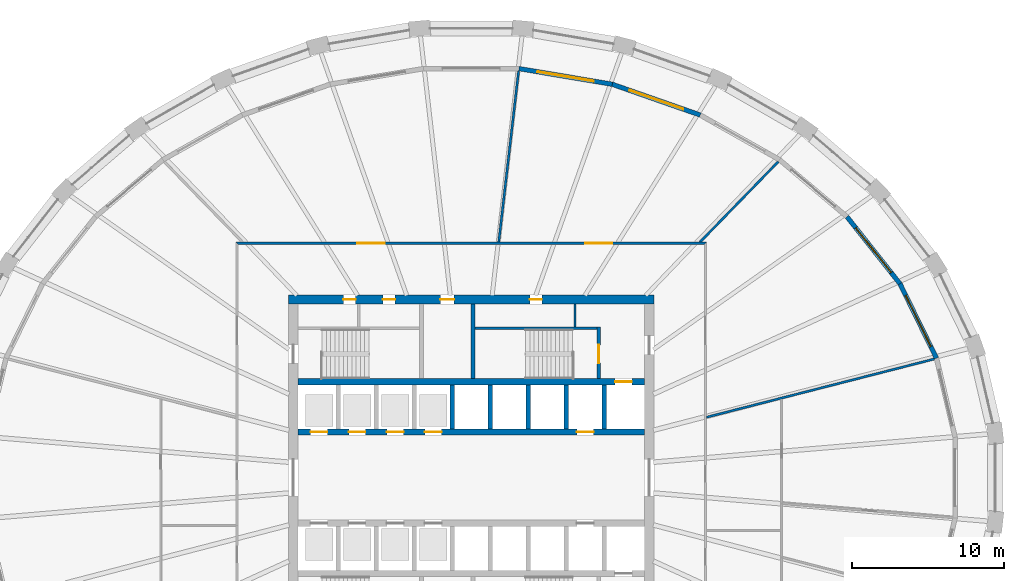
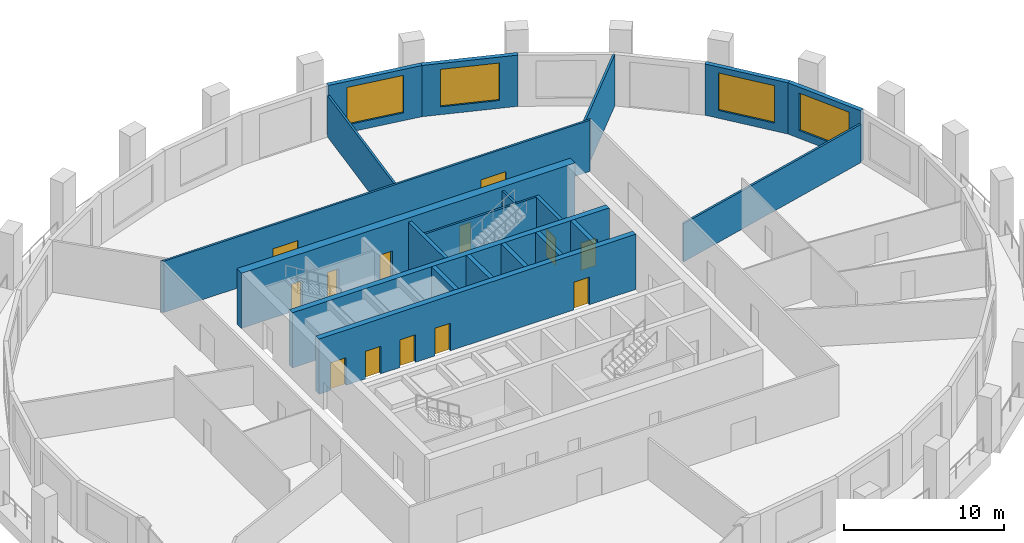
# One storey, part 6 of 10: 20 walls, 13 doors, 4 windows, 17 openings.
"""IFC4 building model written with IfcOpenShell, lengths in metres."""

import ifcopenshell
import ifcopenshell.guid

model = None  # the IFC model being written
_history = None  # IfcOwnerHistory: only IFC2X3 demands one
_inside = {}  # id of a spatial element -> (the spatial element, [elements in it])
_under = {}  # id of a project, library or spatial element -> (it, [spatial elements below it])
_declared = {}  # id of a project -> (the project, [libraries it declares])
_typed = {}  # id of a type object -> (the type object, [elements of that type])
_made_of = {}  # id of a material, layer set ... -> (it, [elements and type objects made of it])


def new_model(schema):
    """Start an empty IFC model of exactly this schema.

    Asked for "IFC4X3", IfcOpenShell would pick the latest addendum, in which some entities
    have other attributes; the version numbers below select the first issue.
    IFC2X3 requires an IfcOwnerHistory on every rooted entity: one is made here for all.
    """
    global model, _history
    if schema == "IFC4X3":
        model = ifcopenshell.file(schema_version=(4, 3, 0, 0))
    else:
        model = ifcopenshell.file(schema=schema)
    _inside.clear()
    _under.clear()
    _declared.clear()
    _typed.clear()
    _made_of.clear()
    _history = None
    if model.schema == "IFC2X3":
        org = make("IfcOrganization", Name="unknown")
        user = make(
            "IfcPersonAndOrganization",
            ThePerson=make("IfcPerson", FamilyName="unknown"),
            TheOrganization=org,
        )
        app = make(
            "IfcApplication",
            ApplicationDeveloper=org,
            Version="unknown",
            ApplicationFullName="unknown",
            ApplicationIdentifier="unknown",
        )
        _history = make(
            "IfcOwnerHistory",
            OwningUser=user,
            OwningApplication=app,
            ChangeAction="ADDED",
            CreationDate=0,
        )
    return model


def make(cls, **values):
    """One entity of the class cls with the attributes given. An attribute that is None is left unset."""
    return model.create_entity(
        cls, **{name: value for name, value in values.items() if value is not None}
    )


def rooted(cls, **values):
    """An entity with a GlobalId (a new one), such as an element, a storey or a relation."""
    return make(cls, GlobalId=ifcopenshell.guid.new(), OwnerHistory=_history, **values)


def si_unit(unit_type, name, prefix=None):
    """IfcSIUnit, for example si_unit("LENGTHUNIT", "METRE", prefix="MILLI")."""
    return make("IfcSIUnit", UnitType=unit_type, Prefix=prefix, Name=name)


def assignment(units):
    """IfcUnitAssignment: the units of a project."""
    return None if units is None else make("IfcUnitAssignment", Units=units)


def point(xyz):
    """IfcCartesianPoint."""
    return None if xyz is None else make("IfcCartesianPoint", Coordinates=xyz)


def direction(xyz):
    """IfcDirection."""
    return None if xyz is None else make("IfcDirection", DirectionRatios=xyz)


def frame(location, z_axis=None, x_axis=None):
    """IfcAxis2Placement3D, a coordinate frame: its origin and axes. An axis left out is left unset."""
    return make(
        "IfcAxis2Placement3D",
        Location=point(location),
        Axis=direction(z_axis),
        RefDirection=direction(x_axis),
    )


def frame_2d(location, x_axis=None):
    """IfcAxis2Placement2D, a coordinate frame in the plane: its origin and x axis."""
    return make(
        "IfcAxis2Placement2D", Location=point(location), RefDirection=direction(x_axis)
    )


def origin():
    """The frame at (0, 0, 0) with its axes left unset."""
    return frame((0.0, 0.0, 0.0))


def place(relative_to, where):
    """IfcLocalPlacement: puts the frame where relative to a parent placement (None: the world)."""
    return make(
        "IfcLocalPlacement", PlacementRelTo=relative_to, RelativePlacement=where
    )


def context(
    kind, dimensions, precision=None, world=None, true_north=None, identifier=None
):
    """IfcGeometricRepresentationContext, for example the 3D "Model" context."""
    return make(
        "IfcGeometricRepresentationContext",
        ContextIdentifier=identifier,
        ContextType=kind,
        CoordinateSpaceDimension=dimensions,
        Precision=precision,
        WorldCoordinateSystem=world,
        TrueNorth=true_north,
    )


def subcontext(parent, identifier, kind, view, scale=None):
    """IfcGeometricRepresentationSubContext, for example "Body" below "Model"."""
    return make(
        "IfcGeometricRepresentationSubContext",
        ContextIdentifier=identifier,
        ContextType=kind,
        ParentContext=parent,
        TargetScale=scale,
        TargetView=view,
    )


def project(units=None, contexts=None):
    """IfcProject with its units and contexts."""
    return rooted(
        "IfcProject",
        Name="project",
        RepresentationContexts=contexts,
        UnitsInContext=assignment(units),
    )


def spatial(cls, under=None, at=None, **own):
    """A site, building, storey or space (cls), placed at a placement, below another one or the project."""
    s = rooted(cls, ObjectPlacement=at, **own)
    if under is not None:
        _under.setdefault(under.id(), (under, []))[1].append(s)
    return s


def polyline(points):
    """IfcPolyline through the points."""
    return make("IfcPolyline", Points=[point(p) for p in points])


def profile(cls, at=None, kind="AREA", **sizes):
    """A parametric profile (cls). Its sizes go by their IFC names, for example OverallWidth=200.0."""
    return make(cls, ProfileType=kind, Position=at, **sizes)


def rectangle(**sizes):
    """IfcRectangleProfileDef."""
    return profile("IfcRectangleProfileDef", **sizes)


def outline(outer, holes=None, kind="AREA"):
    """IfcArbitraryClosedProfileDef: a profile drawn as a closed curve; with holes, ...WithVoids."""
    if holes is None:
        return make("IfcArbitraryClosedProfileDef", ProfileType=kind, OuterCurve=outer)
    return make(
        "IfcArbitraryProfileDefWithVoids",
        ProfileType=kind,
        OuterCurve=outer,
        InnerCurves=holes,
    )


def extrude(swept, where, along, depth):
    """IfcExtrudedAreaSolid: the profile swept, set in the frame where, extruded along a direction by depth."""
    return make(
        "IfcExtrudedAreaSolid",
        SweptArea=swept,
        Position=where,
        ExtrudedDirection=direction(along),
        Depth=depth,
    )


def shape(context_of_items, identifier, shape_type, items):
    """IfcShapeRepresentation: the items that make up one representation, for example the "Body"."""
    return make(
        "IfcShapeRepresentation",
        ContextOfItems=context_of_items,
        RepresentationIdentifier=identifier,
        RepresentationType=shape_type,
        Items=items,
    )


def material(Name=None, Category=None):
    """IfcMaterial."""
    return make("IfcMaterial", Name=Name, Category=Category)


def layer(
    of_material, thickness, ventilated=None, Name=None, Category=None, Priority=None
):
    """IfcMaterialLayer: one layer of a wall or slab, of a material (None: an air gap)."""
    return make(
        "IfcMaterialLayer",
        Material=of_material,
        LayerThickness=thickness,
        IsVentilated=ventilated,
        Name=Name,
        Category=Category,
        Priority=Priority,
    )


def layer_set(layers, Name=None):
    """IfcMaterialLayerSet."""
    return make("IfcMaterialLayerSet", MaterialLayers=layers, LayerSetName=Name)


def made_of(thing, what):
    """Note that an element or type object is made of a material, layer set ...; save() writes the relation."""
    if what is not None:
        _made_of.setdefault(what.id(), (what, []))[1].append(thing)
    return thing


def type_object(cls, material=None, **own):
    """A type object (cls), such as IfcWallType, which elements share."""
    return made_of(rooted(cls, **own), material)


def element(
    cls,
    number,
    at=None,
    inside=None,
    cuts=None,
    type_object=None,
    material=None,
    context=None,
    identifier="Body",
    shape_type=None,
    held_by="IfcProductDefinitionShape",
    body=None,
    shapes=None,
    **own,
):
    """One element of the class cls, such as IfcWall. Its Tag is "e" and its number.

    at: its placement. inside: the storey or other place that contains it. cuts: it is an
    opening in that element (IfcRelVoidsElement). A single representation is given by context,
    identifier, shape_type and body (its items); several are given by shapes. held_by: the class
    of the entity that holds the representations. save() writes the other relations.
    """
    e = rooted(cls, Tag="e%d" % number, ObjectPlacement=at, **own)
    if body is not None:
        shapes = [shape(context, identifier, shape_type, body)]
    if shapes is not None:
        e.Representation = make(held_by, Representations=shapes)
    if inside is not None:
        _inside.setdefault(inside.id(), (inside, []))[1].append(e)
    if cuts is not None:
        rooted(
            "IfcRelVoidsElement", RelatingBuildingElement=cuts, RelatedOpeningElement=e
        )
    if type_object is not None:
        _typed.setdefault(type_object.id(), (type_object, []))[1].append(e)
    return made_of(e, material)


def fill(opening, filler):
    """IfcRelFillsElement: the door or window that sits in an opening."""
    return rooted(
        "IfcRelFillsElement",
        RelatingOpeningElement=opening,
        RelatedBuildingElement=filler,
    )


def aggregate(whole, parts):
    """IfcRelAggregates: a whole, such as a stair, and the parts it consists of."""
    return rooted("IfcRelAggregates", RelatingObject=whole, RelatedObjects=parts)


def save(model, path):
    """Write the relations noted so far, then the file.

    IfcRelAggregates (storeys below a building ...), IfcRelContainedInSpatialStructure (elements
    in a storey), IfcRelDefinesByType, IfcRelAssociatesMaterial and IfcRelDeclares: one each for
    every whole, place, type object, material and project.
    """
    for whole, parts in _under.values():
        aggregate(whole, parts)
    for where, things in _inside.values():
        rooted(
            "IfcRelContainedInSpatialStructure",
            RelatedElements=things,
            RelatingStructure=where,
        )
    for kind, things in _typed.values():
        rooted("IfcRelDefinesByType", RelatedObjects=things, RelatingType=kind)
    for what, things in _made_of.values():
        rooted("IfcRelAssociatesMaterial", RelatedObjects=things, RelatingMaterial=what)
    for by, libraries in _declared.values():
        rooted("IfcRelDeclares", RelatingContext=by, RelatedDefinitions=libraries)
    model.write(path)


model = new_model("IFC4")

# Units and contexts
model_context = context("Model", 3, precision=1e-05, world=origin(), true_north=direction((0.0, 1.0)))
body_context = subcontext(model_context, "Body", "Model", "MODEL_VIEW")
ifc_project = project(units=[si_unit("LENGTHUNIT", "METRE"), si_unit("AREAUNIT", "SQUARE_METRE"), si_unit("VOLUMEUNIT", "CUBIC_METRE"), si_unit("PLANEANGLEUNIT", "RADIAN"), si_unit("MASSUNIT", "GRAM", prefix="KILO")], contexts=[model_context])

# Site, building, storey
site_placement = place(None, origin())
site = spatial("IfcSite", under=ifc_project, at=site_placement, CompositionType="ELEMENT")
building_placement = place(site_placement, origin())
building = spatial("IfcBuilding", under=site, at=building_placement, Name="Halqa Exchange Tower", CompositionType="ELEMENT")
storey_placement = place(building_placement, frame((0.0, 0.0, 133.89990234375)))
storey = spatial("IfcBuildingStorey", under=building, at=storey_placement, Name="L30", CompositionType="ELEMENT", Elevation=133.89990234375)

# Wall, openings, doors
ifc_material_1 = material(Name="Fire-rated gypsum board")
ifc_layer_1 = layer(ifc_material_1, 0.14990234375)
ifc_layer_set_1 = layer_set([ifc_layer_1], Name="Fire-rated gypsum board")
wall_type_1 = type_object("IfcWallType", Name="Fire partition EI 60 150", PredefinedType="PARTITIONING", material=ifc_layer_set_1)
wall_1_placement = place(storey_placement, frame((-15.47509765625, 15.39990234375, 0.0), z_axis=(0.0, 0.0, 1.0), x_axis=(1.0, 0.0, 0.0)))
wall_1 = element("IfcWall", 1, at=wall_1_placement, inside=storey, type_object=wall_type_1, Name="L30-PWL-009", PredefinedType="PARTITIONING", context=body_context, shape_type="SweptSolid", body=[
    extrude(outline(polyline([(0.150146484375, -0.074951171875), (2.065673828125, -0.074951171875), (3.9814453125, -0.074951171875), (5.89697265625, -0.074951171875), (7.8125, -0.074951171875), (9.728271484375, -0.074951171875), (11.643798828125, -0.074951171875), (13.5595703125, -0.074951171875), (15.47509765625, -0.074951171875), (17.390625, -0.074951171875), (19.306396484375, -0.074951171875), (21.221923828125, -0.074951171875), (23.1376953125, -0.074951171875), (25.05322265625, -0.074951171875), (26.96875, -0.074951171875), (28.884521484375, -0.074951171875), (30.800048828125, -0.074951171875), (30.949951171875, 0.074951171875), (29.015625, 0.074951171875), (27.081298828125, 0.074951171875), (25.14697265625, 0.074951171875), (23.21240234375, 0.074951171875), (21.278076171875, 0.074951171875), (19.34375, 0.074951171875), (17.409423828125, 0.074951171875), (15.47509765625, 0.074951171875), (13.540771484375, 0.074951171875), (11.6064453125, 0.074951171875), (9.672119140625, 0.074951171875), (7.73779296875, 0.074951171875), (5.80322265625, 0.074951171875), (3.868896484375, 0.074951171875), (1.9345703125, 0.074951171875), (0.000244140625, 0.074951171875), (0.150146484375, -0.074951171875)])), origin(), (0.0, 0.0, 1.0), 3.900146484375),
])
opening_1_placement = place(wall_1_placement, frame((22.955078125, 0.0, 0.0)))
opening_1 = element("IfcOpeningElement", 2, at=opening_1_placement, cuts=wall_1, Name="Opening 09-01", PredefinedType="OPENING", context=body_context, shape_type="SweptSolid", body=[
    extrude(rectangle(XDim=1.800048828125, YDim=2.10009765625, at=frame_2d((0.89990234375, 1.050048828125))), frame((0.0, 0.0869140625, 0.0), z_axis=(0.0, -1.0, 0.0), x_axis=(1.0, 0.0, 0.0)), (0.0, 0.0, 1.0), 0.173828125),
])
opening_2_placement = place(wall_1_placement, frame((7.9951171875, 0.0, 0.0)))
opening_2 = element("IfcOpeningElement", 3, at=opening_2_placement, cuts=wall_1, Name="Opening 09-02", PredefinedType="OPENING", context=body_context, shape_type="SweptSolid", body=[
    extrude(rectangle(XDim=1.800048828125, YDim=2.10009765625, at=frame_2d((0.89990234375, 1.050048828125))), frame((0.0, 0.0869140625, 0.0), z_axis=(0.0, -1.0, 0.0), x_axis=(1.0, 0.0, 0.0)), (0.0, 0.0, 1.0), 0.173828125),
])
ifc_material_2 = material(Name="Steel fire door leaf", Category="steel")
door_type_1 = type_object("IfcDoorType", Name="Fire door FD30S double 1800 x 2100", OperationType="DOUBLE_DOOR_SINGLE_SWING", PredefinedType="DOOR", material=ifc_material_2)
door_1_placement = place(opening_1_placement, origin())
door_1 = element("IfcDoor", 4, at=door_1_placement, inside=storey, type_object=door_type_1, Name="L30-IDR-001", OperationType="DOUBLE_DOOR_SINGLE_SWING", OverallHeight=2.10009765625, OverallWidth=1.800048828125, PredefinedType="DOOR", context=body_context, shape_type="SweptSolid", body=[
    extrude(rectangle(XDim=1.800048828125, YDim=2.10009765625, at=frame_2d((0.89990234375, 1.050048828125))), frame((0.0, 0.02490234375, 0.0), z_axis=(0.0, -1.0, 0.0), x_axis=(1.0, 0.0, 0.0)), (0.0, 0.0, 1.0), 0.050048828125),
])
fill(opening_1, door_1)
door_2_placement = place(opening_2_placement, origin())
door_2 = element("IfcDoor", 5, at=door_2_placement, inside=storey, type_object=door_type_1, Name="L30-IDR-002", OperationType="DOUBLE_DOOR_SINGLE_SWING", OverallHeight=2.10009765625, OverallWidth=1.800048828125, PredefinedType="DOOR", context=body_context, shape_type="SweptSolid", body=[
    extrude(rectangle(XDim=1.800048828125, YDim=2.10009765625, at=frame_2d((0.89990234375, 1.050048828125))), frame((0.0, 0.02490234375, 0.0), z_axis=(0.0, -1.0, 0.0), x_axis=(1.0, 0.0, 0.0)), (0.0, 0.0, 1.0), 0.050048828125),
])
fill(opening_2, door_2)

# Walls
wall_2_placement = place(storey_placement, frame((1.8076171875, 15.466552734375, 0.0), z_axis=(0.0, 0.0, 1.0), x_axis=(0.115308163836, 0.993329767677, 0.0)))
element("IfcWall", 6, at=wall_2_placement, inside=storey, type_object=wall_type_1, Name="L30-PWL-012", PredefinedType="PARTITIONING", context=body_context, shape_type="SweptSolid", body=[
    extrude(outline(polyline([(0.01708984375, -0.074951171875), (1.904052734375, -0.074951171875), (3.790771484375, -0.074951171875), (5.677490234375, -0.074951171875), (7.564453125, -0.074951171875), (9.451171875, -0.074951171875), (11.337890625, -0.074951171875), (11.338134765625, -0.072509765625), (11.338134765625, 0.029052734375), (11.332763671875, 0.074951171875), (9.444091796875, 0.074951171875), (7.55517578125, 0.074951171875), (5.66650390625, 0.074951171875), (3.777587890625, 0.074951171875), (1.888916015625, 0.074951171875), (0.0, 0.074951171875), (0.0, 0.0732421875), (0.01708984375, -0.074951171875)])), origin(), (0.0, 0.0, 1.0), 3.147216796875),
])
wall_3_placement = place(storey_placement, frame((15.456787109375, 3.964599609375, 0.0), z_axis=(0.0, 0.0, 1.0), x_axis=(0.968826155352, 0.247741560312, 0.0)))
element("IfcWall", 7, at=wall_3_placement, inside=storey, type_object=wall_type_1, Name="L30-PWL-016", PredefinedType="PARTITIONING", context=body_context, shape_type="SweptSolid", body=[
    extrude(outline(polyline([(0.0, -0.074951171875), (1.67724609375, -0.074951171875), (3.354248046875, -0.074951171875), (5.031494140625, -0.074951171875), (5.031982421875, -0.073486328125), (5.03759765625, -0.074951171875), (6.774658203125, -0.074951171875), (8.51171875, -0.074951171875), (10.248779296875, -0.074951171875), (11.98583984375, -0.074951171875), (13.722900390625, -0.074951171875), (15.4599609375, -0.074951171875), (15.4599609375, 0.010498046875), (15.446533203125, 0.074951171875), (13.5205078125, 0.074951171875), (11.594482421875, 0.074951171875), (9.668212890625, 0.074951171875), (7.7421875, 0.074951171875), (5.816162109375, 0.074951171875), (3.89013671875, 0.074951171875), (1.964111328125, 0.074951171875), (0.0380859375, 0.074951171875), (0.0, -0.073486328125), (0.0, -0.074951171875)])), origin(), (0.0, 0.0, 1.0), 2.91015625),
])
wall_4_placement = place(storey_placement, frame((20.182373046875, 20.7666015625, 0.0), z_axis=(0.0, 0.0, 1.0), x_axis=(-0.697398145205, -0.716683910148, 0.0)))
element("IfcWall", 8, at=wall_4_placement, inside=storey, type_object=wall_type_1, Name="L30-PWL-017", PredefinedType="PARTITIONING", context=body_context, shape_type="SweptSolid", body=[
    extrude(outline(polyline([(7.456298828125, -0.074951171875), (7.456298828125, -0.074951171875), (7.36328125, 0.020751953125), (7.36328125, 0.020751953125), (7.310546875, 0.074951171875), (5.48291015625, 0.074951171875), (3.6552734375, 0.074951171875), (1.82763671875, 0.074951171875), (0.0, 0.074951171875), (0.0, 0.072509765625), (0.00537109375, -0.002197265625), (0.0244140625, -0.074951171875), (1.88232421875, -0.074951171875), (3.740478515625, -0.074951171875), (5.598388671875, -0.074951171875), (7.456298828125, -0.074951171875)])), origin(), (0.0, 0.0, 1.0), 3.900146484375),
])
ifc_material_3 = material(Name="Gypsum board")
ifc_layer_2 = layer(ifc_material_3, 0.14990234375)
ifc_layer_set_2 = layer_set([ifc_layer_2], Name="Gypsum board")
wall_type_2 = type_object("IfcWallType", Name="Penthouse riser wall 150 gypsum", PredefinedType="PARTITIONING", material=ifc_layer_set_2)
wall_5_placement = place(storey_placement, frame((6.824951171875, 9.89990234375, 0.0), z_axis=(0.0, 0.0, 1.0), x_axis=(0.0, 1.0, 0.0)))
element("IfcWall", 9, at=wall_5_placement, inside=storey, type_object=wall_type_2, Name="Firefighting lobby west wall N", PredefinedType="PARTITIONING", context=body_context, shape_type="SweptSolid", body=[
    extrude(rectangle(XDim=1.5, YDim=0.14990234375, at=frame_2d((0.75, 0.0))), origin(), (0.0, 0.0, 1.0), 3.900146484375),
])
ifc_material_4 = material(Name="Concrete C60/75", Category="concrete")
ifc_layer_3 = layer(ifc_material_4, 0.300048828125)
ifc_layer_set_3 = layer_set([ifc_layer_3], Name="Concrete C60/75")
wall_type_3 = type_object("IfcWallType", Name="RC core wall 300", PredefinedType="SHEAR", material=ifc_layer_set_3)
for number, where, z_axis, x_axis, name in (
    (10, (-1.25, 3.199951171875, 0.0), (0.0, 0.0, 1.0), (0.0, 1.0, 0.0), "Shaft divider N4"),
    (11, (1.25, 3.199951171875, 0.0), (0.0, 0.0, 1.0), (0.0, 1.0, 0.0), "Shaft divider N5"),
    (12, (3.75, 3.199951171875, 0.0), (0.0, 0.0, 1.0), (0.0, 1.0, 0.0), "Shaft divider N6"),
    (13, (6.25, 3.199951171875, 0.0), (0.0, 0.0, 1.0), (0.0, 1.0, 0.0), "Shaft divider N7"),
    (14, (8.75, 3.199951171875, 0.0), (0.0, 0.0, 1.0), (0.0, 1.0, 0.0), "Shaft divider N8"),
):
    element("IfcWall", number, at=place(storey_placement, frame(where, z_axis=z_axis, x_axis=x_axis)), inside=storey, type_object=wall_type_3, Name=name, PredefinedType="SHEAR", context=body_context, shape_type="SweptSolid", body=[
        extrude(rectangle(XDim=2.900146484375, YDim=0.300048828125, at=frame_2d((1.4501953125, 0.0))), origin(), (0.0, 0.0, 1.0), 4.2001953125),
    ])

# Wall, openings, doors
ifc_material_5 = material(Name="Concrete C70/85", Category="concrete")
ifc_layer_4 = layer(ifc_material_5, 0.39990234375)
ifc_layer_set_4 = layer_set([ifc_layer_4], Name="Concrete C70/85")
wall_type_4 = type_object("IfcWallType", Name="RC core wall 400 C70/85", PredefinedType="SHEAR", material=ifc_layer_set_4)
wall_6_placement = place(storey_placement, frame((-11.39990234375, 3.0, 0.0), z_axis=(0.0, 0.0, 1.0), x_axis=(1.0, 0.0, 0.0)))
wall_6 = element("IfcWall", 15, at=wall_6_placement, inside=storey, type_object=wall_type_4, Name="Lift row front wall N", PredefinedType="SHEAR", context=body_context, shape_type="SweptSolid", body=[
    extrude(rectangle(XDim=22.7998046875, YDim=0.39990234375, at=frame_2d((11.39990234375, 0.0))), origin(), (0.0, 0.0, 1.0), 4.2001953125),
])
opening_3_placement = place(wall_6_placement, frame((0.85009765625, 0.0, 0.0)))
opening_3 = element("IfcOpeningElement", 16, at=opening_3_placement, cuts=wall_6, Name="Opening LD-LR1-T09", PredefinedType="OPENING", context=body_context, shape_type="SweptSolid", body=[
    extrude(rectangle(XDim=1.10009765625, YDim=2.10009765625, at=frame_2d((0.550048828125, 1.050048828125))), frame((0.0, 0.2119140625, 0.0), z_axis=(0.0, -1.0, 0.0), x_axis=(1.0, 0.0, 0.0)), (0.0, 0.0, 1.0), 0.423828125),
])
opening_4_placement = place(wall_6_placement, frame((3.35009765625, 0.0, 0.0)))
opening_4 = element("IfcOpeningElement", 17, at=opening_4_placement, cuts=wall_6, Name="Opening LD-LR2-T09", PredefinedType="OPENING", context=body_context, shape_type="SweptSolid", body=[
    extrude(rectangle(XDim=1.10009765625, YDim=2.10009765625, at=frame_2d((0.550048828125, 1.050048828125))), frame((0.0, 0.2119140625, 0.0), z_axis=(0.0, -1.0, 0.0), x_axis=(1.0, 0.0, 0.0)), (0.0, 0.0, 1.0), 0.423828125),
])
opening_5_placement = place(wall_6_placement, frame((5.85009765625, 0.0, 0.0)))
opening_5 = element("IfcOpeningElement", 18, at=opening_5_placement, cuts=wall_6, Name="Opening LD-LR3-T09", PredefinedType="OPENING", context=body_context, shape_type="SweptSolid", body=[
    extrude(rectangle(XDim=1.10009765625, YDim=2.10009765625, at=frame_2d((0.550048828125, 1.050048828125))), frame((0.0, 0.2119140625, 0.0), z_axis=(0.0, -1.0, 0.0), x_axis=(1.0, 0.0, 0.0)), (0.0, 0.0, 1.0), 0.423828125),
])
opening_6_placement = place(wall_6_placement, frame((8.35009765625, 0.0, 0.0)))
opening_6 = element("IfcOpeningElement", 19, at=opening_6_placement, cuts=wall_6, Name="Opening LD-LR4-T09", PredefinedType="OPENING", context=body_context, shape_type="SweptSolid", body=[
    extrude(rectangle(XDim=1.10009765625, YDim=2.10009765625, at=frame_2d((0.550048828125, 1.050048828125))), frame((0.0, 0.2119140625, 0.0), z_axis=(0.0, -1.0, 0.0), x_axis=(1.0, 0.0, 0.0)), (0.0, 0.0, 1.0), 0.423828125),
])
opening_7_placement = place(wall_6_placement, frame((18.35009765625, 0.0, 0.0)))
opening_7 = element("IfcOpeningElement", 20, at=opening_7_placement, cuts=wall_6, Name="Opening LD-SV1-T09", PredefinedType="OPENING", context=body_context, shape_type="SweptSolid", body=[
    extrude(rectangle(XDim=1.10009765625, YDim=2.10009765625, at=frame_2d((0.550048828125, 1.050048828125))), frame((0.0, 0.2119140625, 0.0), z_axis=(0.0, -1.0, 0.0), x_axis=(1.0, 0.0, 0.0)), (0.0, 0.0, 1.0), 0.423828125),
])
ifc_material_6 = material(Name="Stainless steel", Category="steel")
door_type_2 = type_object("IfcDoorType", Name="Lift landing door 1100 x 2100", OperationType="SLIDING_TO_LEFT", PredefinedType="DOOR", material=ifc_material_6)
door_3_placement = place(opening_3_placement, origin())
door_3 = element("IfcDoor", 21, at=door_3_placement, inside=storey, type_object=door_type_2, Name="Lift landing door LR1", OperationType="SLIDING_TO_LEFT", OverallHeight=2.10009765625, OverallWidth=1.10009765625, PredefinedType="DOOR", context=body_context, shape_type="SweptSolid", body=[
    extrude(rectangle(XDim=1.10009765625, YDim=2.10009765625, at=frame_2d((0.550048828125, 1.050048828125))), frame((0.0, 0.02490234375, 0.0), z_axis=(0.0, -1.0, 0.0), x_axis=(1.0, 0.0, 0.0)), (0.0, 0.0, 1.0), 0.050048828125),
])
fill(opening_3, door_3)
door_4_placement = place(opening_4_placement, origin())
door_4 = element("IfcDoor", 22, at=door_4_placement, inside=storey, type_object=door_type_2, Name="Lift landing door LR2", OperationType="SLIDING_TO_LEFT", OverallHeight=2.10009765625, OverallWidth=1.10009765625, PredefinedType="DOOR", context=body_context, shape_type="SweptSolid", body=[
    extrude(rectangle(XDim=1.10009765625, YDim=2.10009765625, at=frame_2d((0.550048828125, 1.050048828125))), frame((0.0, 0.02490234375, 0.0), z_axis=(0.0, -1.0, 0.0), x_axis=(1.0, 0.0, 0.0)), (0.0, 0.0, 1.0), 0.050048828125),
])
fill(opening_4, door_4)
door_5_placement = place(opening_5_placement, origin())
door_5 = element("IfcDoor", 23, at=door_5_placement, inside=storey, type_object=door_type_2, Name="Lift landing door LR3", OperationType="SLIDING_TO_LEFT", OverallHeight=2.10009765625, OverallWidth=1.10009765625, PredefinedType="DOOR", context=body_context, shape_type="SweptSolid", body=[
    extrude(rectangle(XDim=1.10009765625, YDim=2.10009765625, at=frame_2d((0.550048828125, 1.050048828125))), frame((0.0, 0.02490234375, 0.0), z_axis=(0.0, -1.0, 0.0), x_axis=(1.0, 0.0, 0.0)), (0.0, 0.0, 1.0), 0.050048828125),
])
fill(opening_5, door_5)
door_6_placement = place(opening_6_placement, origin())
door_6 = element("IfcDoor", 24, at=door_6_placement, inside=storey, type_object=door_type_2, Name="Lift landing door LR4", OperationType="SLIDING_TO_LEFT", OverallHeight=2.10009765625, OverallWidth=1.10009765625, PredefinedType="DOOR", context=body_context, shape_type="SweptSolid", body=[
    extrude(rectangle(XDim=1.10009765625, YDim=2.10009765625, at=frame_2d((0.550048828125, 1.050048828125))), frame((0.0, 0.02490234375, 0.0), z_axis=(0.0, -1.0, 0.0), x_axis=(1.0, 0.0, 0.0)), (0.0, 0.0, 1.0), 0.050048828125),
])
fill(opening_6, door_6)
door_7_placement = place(opening_7_placement, origin())
door_7 = element("IfcDoor", 25, at=door_7_placement, inside=storey, type_object=door_type_2, Name="Lift landing door SV1", OperationType="SLIDING_TO_LEFT", OverallHeight=2.10009765625, OverallWidth=1.10009765625, PredefinedType="DOOR", context=body_context, shape_type="SweptSolid", body=[
    extrude(rectangle(XDim=1.10009765625, YDim=2.10009765625, at=frame_2d((0.550048828125, 1.050048828125))), frame((0.0, 0.02490234375, 0.0), z_axis=(0.0, -1.0, 0.0), x_axis=(1.0, 0.0, 0.0)), (0.0, 0.0, 1.0), 0.050048828125),
])
fill(opening_7, door_7)

# Wall, opening, door
wall_7_placement = place(storey_placement, frame((-11.39990234375, 6.300048828125, 0.0), z_axis=(0.0, 0.0, 1.0), x_axis=(1.0, 0.0, 0.0)))
wall_7 = element("IfcWall", 26, at=wall_7_placement, inside=storey, type_object=wall_type_4, Name="Lift row back wall N", PredefinedType="SHEAR", context=body_context, shape_type="SweptSolid", body=[
    extrude(rectangle(XDim=22.7998046875, YDim=0.39990234375, at=frame_2d((11.39990234375, 0.0))), origin(), (0.0, 0.0, 1.0), 4.2001953125),
])
opening_8_placement = place(wall_7_placement, frame((20.85009765625, 0.0, 0.0)))
opening_8 = element("IfcOpeningElement", 27, at=opening_8_placement, cuts=wall_7, Name="Opening LD-FF1-T09", PredefinedType="OPENING", context=body_context, shape_type="SweptSolid", body=[
    extrude(rectangle(XDim=1.10009765625, YDim=2.10009765625, at=frame_2d((0.550048828125, 1.050048828125))), frame((0.0, 0.2119140625, 0.0), z_axis=(0.0, -1.0, 0.0), x_axis=(1.0, 0.0, 0.0)), (0.0, 0.0, 1.0), 0.423828125),
])
door_8_placement = place(opening_8_placement, origin())
door_8 = element("IfcDoor", 28, at=door_8_placement, inside=storey, type_object=door_type_2, Name="Lift landing door FF1", OperationType="SLIDING_TO_LEFT", OverallHeight=2.10009765625, OverallWidth=1.10009765625, PredefinedType="DOOR", context=body_context, shape_type="SweptSolid", body=[
    extrude(rectangle(XDim=1.10009765625, YDim=2.10009765625, at=frame_2d((0.550048828125, 1.050048828125))), frame((0.0, 0.02490234375, 0.0), z_axis=(0.0, -1.0, 0.0), x_axis=(1.0, 0.0, 0.0)), (0.0, 0.0, 1.0), 0.050048828125),
])
fill(opening_8, door_8)

# Wall, openings, doors
ifc_layer_5 = layer(ifc_material_5, 0.60009765625)
ifc_layer_set_5 = layer_set([ifc_layer_5], Name="Concrete C70/85")
wall_type_5 = type_object("IfcWallType", Name="RC core wall 600 C70/85", PredefinedType="SHEAR", material=ifc_layer_set_5)
wall_8_placement = place(storey_placement, frame((-12.0, 11.699951171875, 0.0), z_axis=(0.0, 0.0, 1.0), x_axis=(1.0, 0.0, 0.0)))
wall_8 = element("IfcWall", 29, at=wall_8_placement, inside=storey, type_object=wall_type_5, Name="Core wall north", PredefinedType="SHEAR", context=body_context, shape_type="SweptSolid", body=[
    extrude(rectangle(XDim=24.0, YDim=0.60009765625, at=frame_2d((12.0, 0.0))), origin(), (0.0, 0.0, 1.0), 4.2001953125),
])
opening_9_placement = place(wall_8_placement, frame((9.97509765625, 0.0, 0.0)))
opening_9 = element("IfcOpeningElement", 30, at=opening_9_placement, cuts=wall_8, Name="Opening T09-C21", PredefinedType="OPENING", context=body_context, shape_type="SweptSolid", body=[
    extrude(rectangle(XDim=0.89990234375, YDim=2.10009765625, at=frame_2d((0.449951171875, 1.050048828125))), frame((0.0, 0.31201171875, 0.0), z_axis=(0.0, -1.0, 0.0), x_axis=(1.0, 0.0, 0.0)), (0.0, 0.0, 1.0), 0.6240234375),
])
opening_10_placement = place(wall_8_placement, frame((3.60009765625, 0.0, 0.0)))
opening_10 = element("IfcOpeningElement", 31, at=opening_10_placement, cuts=wall_8, Name="Opening T09-C22", PredefinedType="OPENING", context=body_context, shape_type="SweptSolid", body=[
    extrude(rectangle(XDim=0.800048828125, YDim=2.10009765625, at=frame_2d((0.39990234375, 1.050048828125))), frame((0.0, 0.31201171875, 0.0), z_axis=(0.0, -1.0, 0.0), x_axis=(1.0, 0.0, 0.0)), (0.0, 0.0, 1.0), 0.6240234375),
])
opening_11_placement = place(wall_8_placement, frame((6.199951171875, 0.0, 0.0)))
opening_11 = element("IfcOpeningElement", 32, at=opening_11_placement, cuts=wall_8, Name="Opening T09-C23", PredefinedType="OPENING", context=body_context, shape_type="SweptSolid", body=[
    extrude(rectangle(XDim=0.800048828125, YDim=2.10009765625, at=frame_2d((0.39990234375, 1.050048828125))), frame((0.0, 0.31201171875, 0.0), z_axis=(0.0, -1.0, 0.0), x_axis=(1.0, 0.0, 0.0)), (0.0, 0.0, 1.0), 0.6240234375),
])
opening_12_placement = place(wall_8_placement, frame((15.85009765625, 0.0, 0.0)))
opening_12 = element("IfcOpeningElement", 33, at=opening_12_placement, cuts=wall_8, Name="Opening T09-C24", PredefinedType="OPENING", context=body_context, shape_type="SweptSolid", body=[
    extrude(rectangle(XDim=0.800048828125, YDim=2.10009765625, at=frame_2d((0.39990234375, 1.050048828125))), frame((0.0, 0.31201171875, 0.0), z_axis=(0.0, -1.0, 0.0), x_axis=(1.0, 0.0, 0.0)), (0.0, 0.0, 1.0), 0.6240234375),
])
ifc_material_7 = material(Name="Timber fire door leaf", Category="wood")
door_type_3 = type_object("IfcDoorType", Name="Core room door FD30 900 x 2100", OperationType="SINGLE_SWING_LEFT", PredefinedType="DOOR", material=ifc_material_7)
door_9_placement = place(opening_9_placement, frame((0.89990234375, 0.0, 0.0), z_axis=(0.0, 0.0, 1.0), x_axis=(-1.0, 0.0, 0.0)))
door_9 = element("IfcDoor", 34, at=door_9_placement, inside=storey, type_object=door_type_3, Name="Core room door", OperationType="SINGLE_SWING_RIGHT", OverallHeight=2.10009765625, OverallWidth=0.89990234375, PredefinedType="DOOR", context=body_context, shape_type="SweptSolid", body=[
    extrude(rectangle(XDim=0.89990234375, YDim=2.10009765625, at=frame_2d((0.449951171875, 1.050048828125))), frame((0.0, 0.02490234375, 0.0), z_axis=(0.0, -1.0, 0.0), x_axis=(1.0, 0.0, 0.0)), (0.0, 0.0, 1.0), 0.050048828125),
])
fill(opening_9, door_9)
door_type_4 = type_object("IfcDoorType", Name="Riser door FD60 800 x 2100", OperationType="SINGLE_SWING_LEFT", PredefinedType="DOOR", material=ifc_material_2)
door_10_placement = place(opening_10_placement, frame((0.800048828125, 0.0, 0.0), z_axis=(0.0, 0.0, 1.0), x_axis=(-1.0, 0.0, 0.0)))
door_10 = element("IfcDoor", 35, at=door_10_placement, inside=storey, type_object=door_type_4, Name="Core room door", OperationType="SINGLE_SWING_RIGHT", OverallHeight=2.10009765625, OverallWidth=0.800048828125, PredefinedType="DOOR", context=body_context, shape_type="SweptSolid", body=[
    extrude(rectangle(XDim=0.800048828125, YDim=2.10009765625, at=frame_2d((0.39990234375, 1.050048828125))), frame((0.0, 0.02490234375, 0.0), z_axis=(0.0, -1.0, 0.0), x_axis=(1.0, 0.0, 0.0)), (0.0, 0.0, 1.0), 0.050048828125),
])
fill(opening_10, door_10)
door_11_placement = place(opening_11_placement, frame((0.800048828125, 0.0, 0.0), z_axis=(0.0, 0.0, 1.0), x_axis=(-1.0, 0.0, 0.0)))
door_11 = element("IfcDoor", 36, at=door_11_placement, inside=storey, type_object=door_type_4, Name="Core room door", OperationType="SINGLE_SWING_RIGHT", OverallHeight=2.10009765625, OverallWidth=0.800048828125, PredefinedType="DOOR", context=body_context, shape_type="SweptSolid", body=[
    extrude(rectangle(XDim=0.800048828125, YDim=2.10009765625, at=frame_2d((0.39990234375, 1.050048828125))), frame((0.0, 0.02490234375, 0.0), z_axis=(0.0, -1.0, 0.0), x_axis=(1.0, 0.0, 0.0)), (0.0, 0.0, 1.0), 0.050048828125),
])
fill(opening_11, door_11)
door_12_placement = place(opening_12_placement, frame((0.800048828125, 0.0, 0.0), z_axis=(0.0, 0.0, 1.0), x_axis=(-1.0, 0.0, 0.0)))
door_12 = element("IfcDoor", 37, at=door_12_placement, inside=storey, type_object=door_type_4, Name="Core room door", OperationType="SINGLE_SWING_RIGHT", OverallHeight=2.10009765625, OverallWidth=0.800048828125, PredefinedType="DOOR", context=body_context, shape_type="SweptSolid", body=[
    extrude(rectangle(XDim=0.800048828125, YDim=2.10009765625, at=frame_2d((0.39990234375, 1.050048828125))), frame((0.0, 0.02490234375, 0.0), z_axis=(0.0, -1.0, 0.0), x_axis=(1.0, 0.0, 0.0)), (0.0, 0.0, 1.0), 0.050048828125),
])
fill(opening_12, door_12)

# Walls
ifc_material_8 = material(Name="Concrete C30/37", Category="concrete")
ifc_layer_6 = layer(ifc_material_8, 0.14990234375)
ifc_layer_set_6 = layer_set([ifc_layer_6], Name="Concrete C30/37")
wall_type_6 = type_object("IfcWallType", Name="RC stair wall 150 C30/37", PredefinedType="SHEAR", material=ifc_layer_set_6)
wall_9_placement = place(storey_placement, frame((0.25, 9.824951171875, 0.0), z_axis=(0.0, 0.0, 1.0), x_axis=(1.0, 0.0, 0.0)))
element("IfcWall", 38, at=wall_9_placement, inside=storey, type_object=wall_type_6, Name="Stair ST2 north wall N", PredefinedType="SHEAR", context=body_context, shape_type="SweptSolid", body=[
    extrude(rectangle(XDim=8.0, YDim=0.14990234375, at=frame_2d((4.0, 0.0))), origin(), (0.0, 0.0, 1.0), 3.900146484375),
])
ifc_layer_7 = layer(ifc_material_8, 0.25)
ifc_layer_set_7 = layer_set([ifc_layer_7], Name="Concrete C30/37")
wall_type_7 = type_object("IfcWallType", Name="RC stair wall 250 C30/37", PredefinedType="SHEAR", material=ifc_layer_set_7)
wall_10_placement = place(storey_placement, frame((0.125, 6.5, 0.0), z_axis=(0.0, 0.0, 1.0), x_axis=(0.0, 1.0, 0.0)))
element("IfcWall", 39, at=wall_10_placement, inside=storey, type_object=wall_type_7, Name="Stair ST2 west wall N", PredefinedType="SHEAR", context=body_context, shape_type="SweptSolid", body=[
    extrude(rectangle(XDim=4.89990234375, YDim=0.25, at=frame_2d((2.449951171875, 0.0))), origin(), (0.0, 0.0, 1.0), 3.900146484375),
])

# Wall, opening, door
wall_11_placement = place(storey_placement, frame((8.375, 6.5, 0.0), z_axis=(0.0, 0.0, 1.0), x_axis=(0.0, 1.0, 0.0)))
wall_11 = element("IfcWall", 40, at=wall_11_placement, inside=storey, type_object=wall_type_7, Name="Stair ST2 east wall N", PredefinedType="SHEAR", context=body_context, shape_type="SweptSolid", body=[
    extrude(rectangle(XDim=3.39990234375, YDim=0.25, at=frame_2d((1.699951171875, 0.0))), origin(), (0.0, 0.0, 1.0), 3.900146484375),
])
opening_13_placement = place(wall_11_placement, frame((1.02490234375, 0.0, 0.0)))
opening_13 = element("IfcOpeningElement", 41, at=opening_13_placement, cuts=wall_11, Name="Opening T09-C16", PredefinedType="OPENING", context=body_context, shape_type="SweptSolid", body=[
    extrude(rectangle(XDim=1.199951171875, YDim=2.10009765625, at=frame_2d((0.60009765625, 1.050048828125))), frame((0.0, 0.136962890625, 0.0), z_axis=(0.0, -1.0, 0.0), x_axis=(1.0, 0.0, 0.0)), (0.0, 0.0, 1.0), 0.27392578125),
])
door_type_5 = type_object("IfcDoorType", Name="Stair door FD90 1200 x 2100", OperationType="SINGLE_SWING_LEFT", PredefinedType="DOOR", material=ifc_material_2)
door_13_placement = place(opening_13_placement, origin())
door_13 = element("IfcDoor", 42, at=door_13_placement, inside=storey, type_object=door_type_5, Name="Stair door ST2", OperationType="SINGLE_SWING_LEFT", OverallHeight=2.10009765625, OverallWidth=1.199951171875, PredefinedType="DOOR", context=body_context, shape_type="SweptSolid", body=[
    extrude(rectangle(XDim=1.199951171875, YDim=2.10009765625, at=frame_2d((0.60009765625, 1.050048828125))), frame((0.0, 0.02490234375, 0.0), z_axis=(0.0, -1.0, 0.0), x_axis=(1.0, 0.0, 0.0)), (0.0, 0.0, 1.0), 0.050048828125),
])
fill(opening_13, door_13)

# Wall, opening, window
ifc_material_9 = material(Name="Limestone cladding", Category="masonry")
ifc_layer_8 = layer(ifc_material_9, 0.0400390625)
ifc_material_10 = material(Name="Ventilated cavity")
ifc_layer_9 = layer(ifc_material_10, 0.030029296875, ventilated=True)
ifc_material_11 = material(Name="Mineral wool insulation")
ifc_layer_10 = layer(ifc_material_11, 0.10009765625)
ifc_layer_11 = layer(ifc_material_8, 0.10009765625)
ifc_material_12 = material(Name="Internal plaster")
ifc_layer_12 = layer(ifc_material_12, 0.030029296875)
ifc_layer_set_8 = layer_set([ifc_layer_8, ifc_layer_9, ifc_layer_10, ifc_layer_11, ifc_layer_12], Name="Stone-faced insulated wall 300")
wall_type_8 = type_object("IfcWallType", Name="Stone-faced insulated wall 300", PredefinedType="STANDARD", material=ifc_layer_set_8)
wall_12_placement = place(storey_placement, frame((30.577880859375, 7.848388671875, 0.0), z_axis=(0.0, 0.0, 1.0), x_axis=(-0.440321465864, 0.897840189956, 0.0)))
wall_12 = element("IfcWall", 43, at=wall_12_placement, inside=storey, type_object=wall_type_8, Name="Glass-line wall 2", PredefinedType="STANDARD", context=body_context, shape_type="SweptSolid", body=[
    extrude(outline(polyline([(-0.016845703125, -0.14990234375), (5.467529296875, -0.14990234375), (5.435302734375, 0.14990234375), (0.016845703125, 0.14990234375), (-0.016845703125, -0.14990234375)])), origin(), (0.0, 0.0, 1.0), 3.900146484375),
])
opening_14_placement = place(wall_12_placement, frame((0.850830078125, 0.0, 0.60009765625)))
opening_14 = element("IfcOpeningElement", 44, at=opening_14_placement, cuts=wall_12, Name="Opening W-F2-02", PredefinedType="OPENING", context=body_context, shape_type="SweptSolid", body=[
    extrude(rectangle(XDim=3.75, YDim=2.85009765625, at=frame_2d((1.875, 1.425048828125))), frame((0.0, 0.162109375, 0.0), z_axis=(0.0, -1.0, 0.0), x_axis=(1.0, 0.0, 0.0)), (0.0, 0.0, 1.0), 0.323974609375),
])
ifc_material_13 = material(Name="Clear low-emissivity glass in aluminium frame", Category="aluminium")
window_type = type_object("IfcWindowType", Name="Fixed clear glazed window 3750 x 2850", PartitioningType="TRIPLE_PANEL_VERTICAL", PredefinedType="WINDOW", material=ifc_material_13)
window_1_placement = place(opening_14_placement, origin())
window_1 = element("IfcWindow", 45, at=window_1_placement, inside=storey, type_object=window_type, Name="Window 2", OverallHeight=2.85009765625, OverallWidth=3.75, PartitioningType="TRIPLE_PANEL_VERTICAL", PredefinedType="WINDOW", context=body_context, shape_type="SweptSolid", body=[
    extrude(rectangle(XDim=3.75, YDim=2.85009765625, at=frame_2d((1.875, 1.425048828125))), frame((0.0, 0.030029296875, 0.0), z_axis=(0.0, -1.0, 0.0), x_axis=(1.0, 0.0, 0.0)), (0.0, 0.0, 1.0), 0.06005859375),
])
fill(opening_14, window_1)

wall_13_placement = place(storey_placement, frame((28.177490234375, 12.742919921875, 0.0), z_axis=(0.0, 0.0, 1.0), x_axis=(-0.620464552431, 0.784234492468, 0.0)))
wall_13 = element("IfcWall", 46, at=wall_13_placement, inside=storey, type_object=wall_type_8, Name="Glass-line wall 3", PredefinedType="STANDARD", context=body_context, shape_type="SweptSolid", body=[
    extrude(outline(polyline([(-0.01611328125, -0.14990234375), (5.62939453125, -0.14990234375), (5.59912109375, 0.14990234375), (0.01611328125, 0.14990234375), (-0.01611328125, -0.14990234375)])), origin(), (0.0, 0.0, 1.0), 3.900146484375),
])
opening_15_placement = place(wall_13_placement, frame((0.931884765625, 0.0, 0.60009765625)))
opening_15 = element("IfcOpeningElement", 47, at=opening_15_placement, cuts=wall_13, Name="Opening W-F2-03", PredefinedType="OPENING", context=body_context, shape_type="SweptSolid", body=[
    extrude(rectangle(XDim=3.75, YDim=2.85009765625, at=frame_2d((1.875, 1.425048828125))), frame((0.0, 0.162109375, 0.0), z_axis=(0.0, -1.0, 0.0), x_axis=(1.0, 0.0, 0.0)), (0.0, 0.0, 1.0), 0.323974609375),
])
window_2_placement = place(opening_15_placement, origin())
window_2 = element("IfcWindow", 48, at=window_2_placement, inside=storey, type_object=window_type, Name="Window 2", OverallHeight=2.85009765625, OverallWidth=3.75, PartitioningType="TRIPLE_PANEL_VERTICAL", PredefinedType="WINDOW", context=body_context, shape_type="SweptSolid", body=[
    extrude(rectangle(XDim=3.75, YDim=2.85009765625, at=frame_2d((1.875, 1.425048828125))), frame((0.0, 0.030029296875, 0.0), z_axis=(0.0, -1.0, 0.0), x_axis=(1.0, 0.0, 0.0)), (0.0, 0.0, 1.0), 0.06005859375),
])
fill(opening_15, window_2)

wall_14_placement = place(storey_placement, frame((15.054931640625, 23.8271484375, 0.0), z_axis=(0.0, 0.0, 1.0), x_axis=(-0.943911133508, 0.330199594245, 0.0)))
wall_14 = element("IfcWall", 49, at=wall_14_placement, inside=storey, type_object=wall_type_8, Name="Glass-line wall 6", PredefinedType="STANDARD", context=body_context, shape_type="SweptSolid", body=[
    extrude(outline(polyline([(-0.013427734375, -0.14990234375), (6.141357421875, -0.14990234375), (6.115966796875, 0.14990234375), (0.013427734375, 0.14990234375), (-0.013427734375, -0.14990234375)])), origin(), (0.0, 0.0, 1.0), 3.900146484375),
])
opening_16_placement = place(wall_14_placement, frame((1.189208984375, 0.0, 0.60009765625)))
opening_16 = element("IfcOpeningElement", 50, at=opening_16_placement, cuts=wall_14, Name="Opening W-F2-06", PredefinedType="OPENING", context=body_context, shape_type="SweptSolid", body=[
    extrude(rectangle(XDim=3.75, YDim=2.85009765625, at=frame_2d((1.875, 1.425048828125))), frame((0.0, 0.162109375, 0.0), z_axis=(0.0, -1.0, 0.0), x_axis=(1.0, 0.0, 0.0)), (0.0, 0.0, 1.0), 0.323974609375),
])
window_3_placement = place(opening_16_placement, origin())
window_3 = element("IfcWindow", 51, at=window_3_placement, inside=storey, type_object=window_type, Name="Window 2", OverallHeight=2.85009765625, OverallWidth=3.75, PartitioningType="TRIPLE_PANEL_VERTICAL", PredefinedType="WINDOW", context=body_context, shape_type="SweptSolid", body=[
    extrude(rectangle(XDim=3.75, YDim=2.85009765625, at=frame_2d((1.875, 1.425048828125))), frame((0.0, 0.030029296875, 0.0), z_axis=(0.0, -1.0, 0.0), x_axis=(1.0, 0.0, 0.0)), (0.0, 0.0, 1.0), 0.06005859375),
])
fill(opening_16, window_3)

wall_15_placement = place(storey_placement, frame((9.27001953125, 25.850830078125, 0.0), z_axis=(0.0, 0.0, 1.0), x_axis=(-0.9861811474, 0.165670590368, 0.0)))
wall_15 = element("IfcWall", 52, at=wall_15_placement, inside=storey, type_object=wall_type_8, Name="Glass-line wall 7", PredefinedType="STANDARD", context=body_context, shape_type="SweptSolid", body=[
    extrude(outline(polyline([(-0.0126953125, -0.14990234375), (6.238525390625, -0.14990234375), (6.213623046875, 0.14990234375), (0.0126953125, 0.14990234375), (-0.0126953125, -0.14990234375)])), origin(), (0.0, 0.0, 1.0), 3.900146484375),
])
opening_17_placement = place(wall_15_placement, frame((1.238037109375, 0.0, 0.60009765625)))
opening_17 = element("IfcOpeningElement", 53, at=opening_17_placement, cuts=wall_15, Name="Opening W-F2-07", PredefinedType="OPENING", context=body_context, shape_type="SweptSolid", body=[
    extrude(rectangle(XDim=3.75, YDim=2.85009765625, at=frame_2d((1.875, 1.425048828125))), frame((0.0, 0.162109375, 0.0), z_axis=(0.0, -1.0, 0.0), x_axis=(1.0, 0.0, 0.0)), (0.0, 0.0, 1.0), 0.323974609375),
])
window_4_placement = place(opening_17_placement, origin())
window_4 = element("IfcWindow", 54, at=window_4_placement, inside=storey, type_object=window_type, Name="Window 2", OverallHeight=2.85009765625, OverallWidth=3.75, PartitioningType="TRIPLE_PANEL_VERTICAL", PredefinedType="WINDOW", context=body_context, shape_type="SweptSolid", body=[
    extrude(rectangle(XDim=3.75, YDim=2.85009765625, at=frame_2d((1.875, 1.425048828125))), frame((0.0, 0.030029296875, 0.0), z_axis=(0.0, -1.0, 0.0), x_axis=(1.0, 0.0, 0.0)), (0.0, 0.0, 1.0), 0.06005859375),
])
fill(opening_17, window_4)

save(model, "model.ifc")
